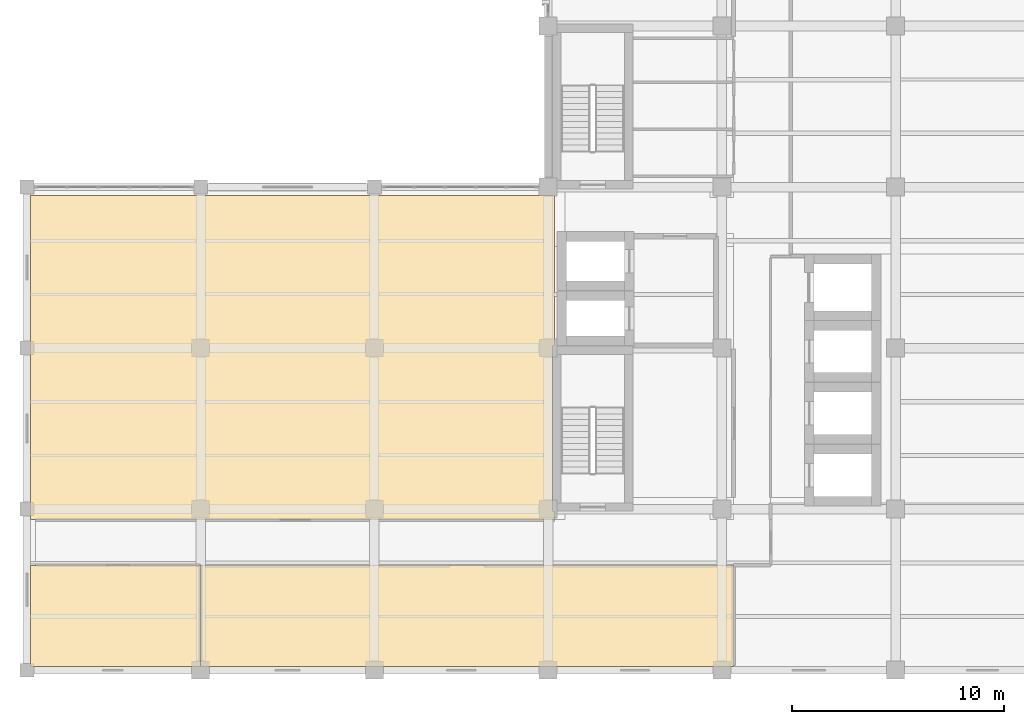
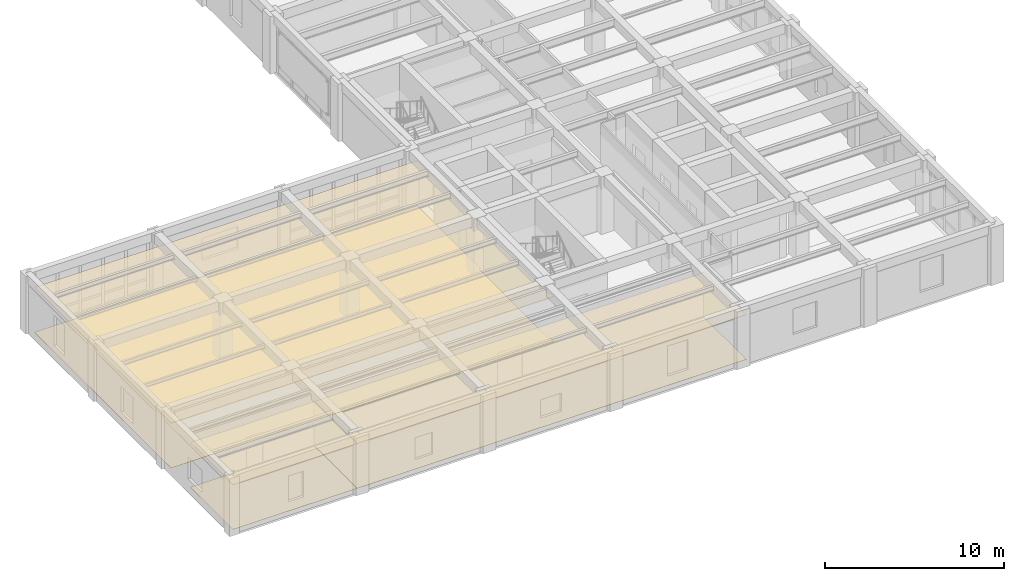
# One storey, part 12 of 17: 6 coverings.
"""IFC4 building model written with IfcOpenShell, lengths in metres."""

from ifc_helpers import new_model, si_unit, direction, frame, origin, place, context, subcontext, project, spatial, polyline, outline, extrude, material, layer, layer_set, type_object, element, save


model = new_model("IFC4")

# Units and contexts
model_context = context("Model", 3, precision=1e-05, world=origin(), true_north=direction((0.0, 1.0)))
body_context = subcontext(model_context, "Body", "Model", "MODEL_VIEW")
ifc_project = project(units=[si_unit("LENGTHUNIT", "METRE"), si_unit("AREAUNIT", "SQUARE_METRE"), si_unit("VOLUMEUNIT", "CUBIC_METRE"), si_unit("PLANEANGLEUNIT", "RADIAN"), si_unit("MASSUNIT", "GRAM", prefix="KILO")], contexts=[model_context])

# Site, building, storey
site_placement = place(None, origin())
site = spatial("IfcSite", under=ifc_project, at=site_placement, CompositionType="ELEMENT")
building_placement = place(site_placement, origin())
building = spatial("IfcBuilding", under=site, at=building_placement, Name="Qandaris Square Conservatory and Botanical Centre", CompositionType="ELEMENT")
storey_placement = place(building_placement, frame((0.0, 0.0, 28.199951171875)))
storey = spatial("IfcBuildingStorey", under=building, at=storey_placement, Name="L06", CompositionType="ELEMENT", Elevation=28.199951171875)

# Coverings
ifc_material_1 = material(Name="Gypsum Plasterboard", Category="gypsum")
ifc_layer_1 = layer(ifc_material_1, 0.02490234375)
ifc_layer_set_1 = layer_set([ifc_layer_1], Name="Gypsum Plasterboard")
covering_type_1 = type_object("IfcCoveringType", Name="Perforated Acoustic Lab Ceiling Tile", PredefinedType="CEILING", material=ifc_layer_set_1)
covering_1_placement = place(storey_placement, frame((0.0, 0.0, 3.050048828125)))
element("IfcCovering", 1, at=covering_1_placement, inside=storey, type_object=covering_type_1, Name="Conservation Genetics Research Laboratory Ceiling", PredefinedType="CEILING", context=body_context, shape_type="SweptSolid", body=[
    extrude(outline(polyline([(115.0, 21.550048828125), (122.800048828125, 21.550048828125), (122.800048828125, 16.780029296875), (114.780029296875, 16.780029296875), (114.780029296875, 21.550048828125), (115.0, 21.550048828125)])), origin(), (0.0, 0.0, 1.0), 0.02490234375),
])
covering_2_placement = place(storey_placement, frame((0.0, 0.0, 3.050048828125)))
element("IfcCovering", 2, at=covering_2_placement, inside=storey, type_object=covering_type_1, Name="Pollinator Ecology Suite Ceiling", PredefinedType="CEILING", context=body_context, shape_type="SweptSolid", body=[
    extrude(outline(polyline([(147.949951171875, 21.550048828125), (147.949951171875, 16.780029296875), (122.800048828125, 16.780029296875), (122.800048828125, 21.550048828125), (147.949951171875, 21.550048828125)])), origin(), (0.0, 0.0, 1.0), 0.02490234375),
])
covering_3_placement = place(storey_placement, frame((0.0, 0.0, 3.050048828125)))
element("IfcCovering", 3, at=covering_3_placement, inside=storey, type_object=covering_type_1, Name="Arid Agroforestry Research Laboratory Ceiling", PredefinedType="CEILING", context=body_context, shape_type="SweptSolid", body=[
    extrude(outline(polyline([(139.5, 31.89990234375), (139.39990234375, 31.89990234375), (139.39990234375, 24.10009765625), (139.5, 24.10009765625), (139.5, 23.699951171875), (115.0, 23.699951171875), (114.780029296875, 23.699951171875), (114.780029296875, 39.0), (139.5, 39.0), (139.5, 31.89990234375)])), origin(), (0.0, 0.0, 1.0), 0.02490234375),
])
ifc_material_2 = material(Name="Epoxy Resin Screed", Category="finish")
ifc_layer_2 = layer(ifc_material_2, 0.014892578125)
ifc_layer_set_2 = layer_set([ifc_layer_2], Name="Epoxy Resin Screed")
covering_type_2 = type_object("IfcCoveringType", Name="Seamless Epoxy Laboratory Flooring", PredefinedType="FLOORING", material=ifc_layer_set_2)
covering_4_placement = place(storey_placement, origin())
element("IfcCovering", 4, at=covering_4_placement, inside=storey, type_object=covering_type_2, Name="Conservation Genetics Research Laboratory Flooring", PredefinedType="FLOORING", context=body_context, shape_type="SweptSolid", body=[
    extrude(outline(polyline([(115.0, 21.550048828125), (122.800048828125, 21.550048828125), (122.800048828125, 16.780029296875), (114.780029296875, 16.780029296875), (114.780029296875, 21.550048828125), (115.0, 21.550048828125)])), origin(), (0.0, 0.0, 1.0), 0.01513671875),
])
covering_5_placement = place(storey_placement, origin())
element("IfcCovering", 5, at=covering_5_placement, inside=storey, type_object=covering_type_2, Name="Pollinator Ecology Suite Flooring", PredefinedType="FLOORING", context=body_context, shape_type="SweptSolid", body=[
    extrude(outline(polyline([(147.949951171875, 21.550048828125), (147.949951171875, 16.780029296875), (122.800048828125, 16.780029296875), (122.800048828125, 21.550048828125), (147.949951171875, 21.550048828125)])), origin(), (0.0, 0.0, 1.0), 0.01513671875),
])
covering_6_placement = place(storey_placement, origin())
element("IfcCovering", 6, at=covering_6_placement, inside=storey, type_object=covering_type_2, Name="Arid Agroforestry Research Laboratory Flooring", PredefinedType="FLOORING", context=body_context, shape_type="SweptSolid", body=[
    extrude(outline(polyline([(139.5, 31.89990234375), (139.39990234375, 31.89990234375), (139.39990234375, 24.10009765625), (139.5, 24.10009765625), (139.5, 23.699951171875), (115.0, 23.699951171875), (114.780029296875, 23.699951171875), (114.780029296875, 39.0), (139.5, 39.0), (139.5, 31.89990234375)])), origin(), (0.0, 0.0, 1.0), 0.01513671875),
])

save(model, "model.ifc")
